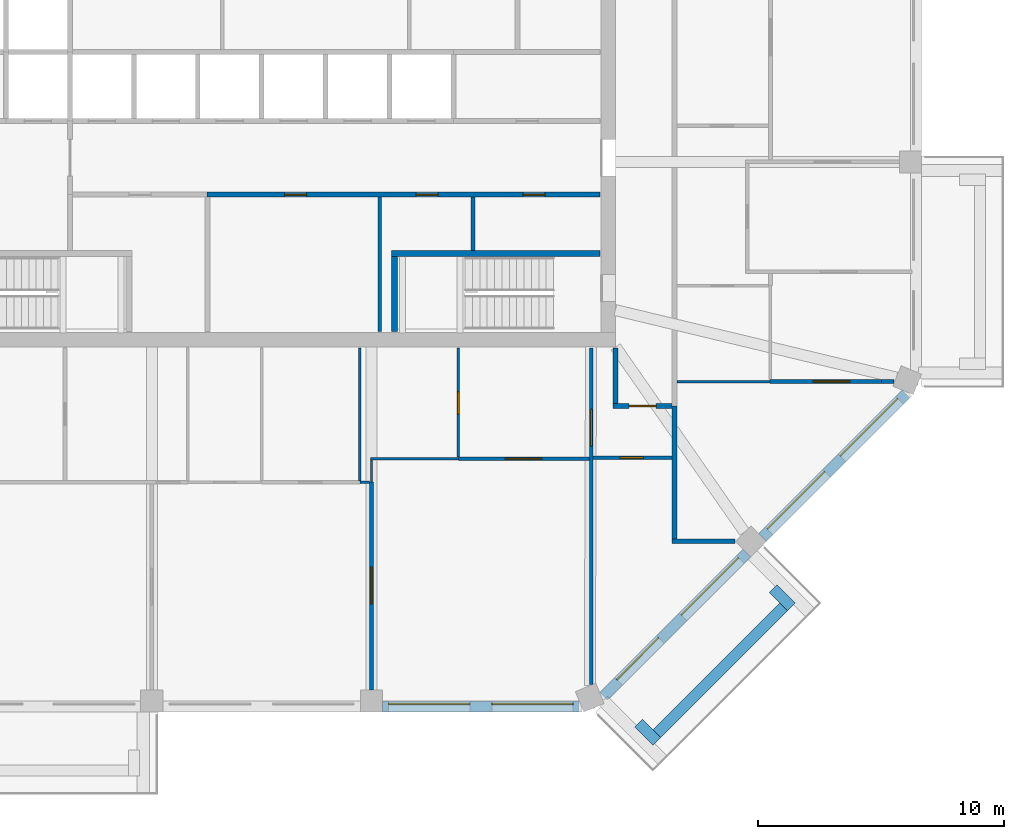
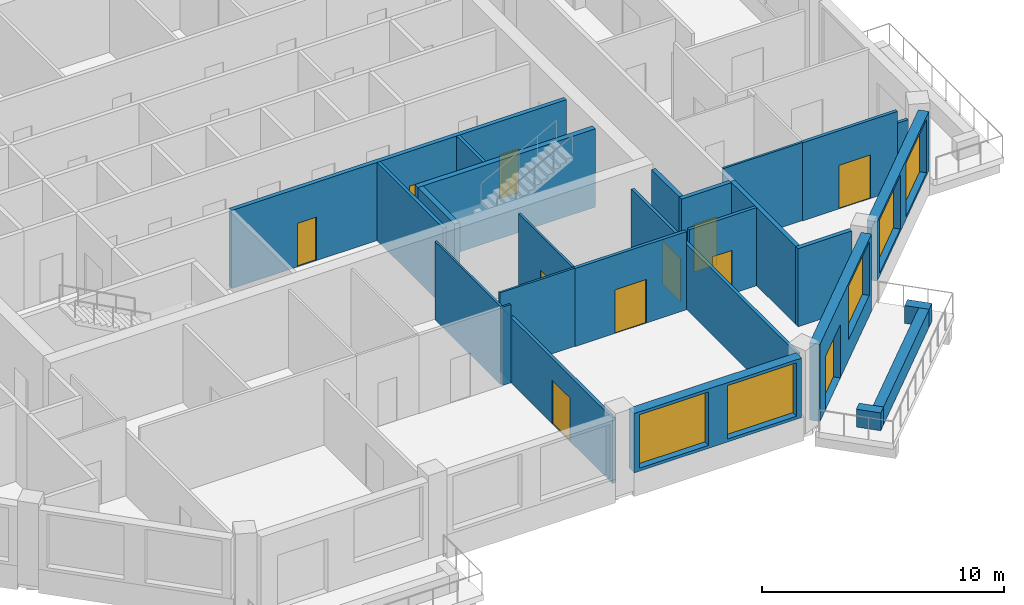
# One storey, part 5 of 11: 27 walls, 11 doors, 5 windows, 16 openings.
"""IFC4 building model written with IfcOpenShell, lengths in metres."""

import ifcopenshell
import ifcopenshell.guid

model = None  # the IFC model being written
_history = None  # IfcOwnerHistory: only IFC2X3 demands one
_inside = {}  # id of a spatial element -> (the spatial element, [elements in it])
_under = {}  # id of a project, library or spatial element -> (it, [spatial elements below it])
_declared = {}  # id of a project -> (the project, [libraries it declares])
_typed = {}  # id of a type object -> (the type object, [elements of that type])
_made_of = {}  # id of a material, layer set ... -> (it, [elements and type objects made of it])


def new_model(schema):
    """Start an empty IFC model of exactly this schema.

    Asked for "IFC4X3", IfcOpenShell would pick the latest addendum, in which some entities
    have other attributes; the version numbers below select the first issue.
    IFC2X3 requires an IfcOwnerHistory on every rooted entity: one is made here for all.
    """
    global model, _history
    if schema == "IFC4X3":
        model = ifcopenshell.file(schema_version=(4, 3, 0, 0))
    else:
        model = ifcopenshell.file(schema=schema)
    _inside.clear()
    _under.clear()
    _declared.clear()
    _typed.clear()
    _made_of.clear()
    _history = None
    if model.schema == "IFC2X3":
        org = make("IfcOrganization", Name="unknown")
        user = make(
            "IfcPersonAndOrganization",
            ThePerson=make("IfcPerson", FamilyName="unknown"),
            TheOrganization=org,
        )
        app = make(
            "IfcApplication",
            ApplicationDeveloper=org,
            Version="unknown",
            ApplicationFullName="unknown",
            ApplicationIdentifier="unknown",
        )
        _history = make(
            "IfcOwnerHistory",
            OwningUser=user,
            OwningApplication=app,
            ChangeAction="ADDED",
            CreationDate=0,
        )
    return model


def make(cls, **values):
    """One entity of the class cls with the attributes given. An attribute that is None is left unset."""
    return model.create_entity(
        cls, **{name: value for name, value in values.items() if value is not None}
    )


def rooted(cls, **values):
    """An entity with a GlobalId (a new one), such as an element, a storey or a relation."""
    return make(cls, GlobalId=ifcopenshell.guid.new(), OwnerHistory=_history, **values)


def si_unit(unit_type, name, prefix=None):
    """IfcSIUnit, for example si_unit("LENGTHUNIT", "METRE", prefix="MILLI")."""
    return make("IfcSIUnit", UnitType=unit_type, Prefix=prefix, Name=name)


def assignment(units):
    """IfcUnitAssignment: the units of a project."""
    return None if units is None else make("IfcUnitAssignment", Units=units)


def point(xyz):
    """IfcCartesianPoint."""
    return None if xyz is None else make("IfcCartesianPoint", Coordinates=xyz)


def direction(xyz):
    """IfcDirection."""
    return None if xyz is None else make("IfcDirection", DirectionRatios=xyz)


def frame(location, z_axis=None, x_axis=None):
    """IfcAxis2Placement3D, a coordinate frame: its origin and axes. An axis left out is left unset."""
    return make(
        "IfcAxis2Placement3D",
        Location=point(location),
        Axis=direction(z_axis),
        RefDirection=direction(x_axis),
    )


def frame_2d(location, x_axis=None):
    """IfcAxis2Placement2D, a coordinate frame in the plane: its origin and x axis."""
    return make(
        "IfcAxis2Placement2D", Location=point(location), RefDirection=direction(x_axis)
    )


def origin():
    """The frame at (0, 0, 0) with its axes left unset."""
    return frame((0.0, 0.0, 0.0))


def place(relative_to, where):
    """IfcLocalPlacement: puts the frame where relative to a parent placement (None: the world)."""
    return make(
        "IfcLocalPlacement", PlacementRelTo=relative_to, RelativePlacement=where
    )


def context(
    kind, dimensions, precision=None, world=None, true_north=None, identifier=None
):
    """IfcGeometricRepresentationContext, for example the 3D "Model" context."""
    return make(
        "IfcGeometricRepresentationContext",
        ContextIdentifier=identifier,
        ContextType=kind,
        CoordinateSpaceDimension=dimensions,
        Precision=precision,
        WorldCoordinateSystem=world,
        TrueNorth=true_north,
    )


def subcontext(parent, identifier, kind, view, scale=None):
    """IfcGeometricRepresentationSubContext, for example "Body" below "Model"."""
    return make(
        "IfcGeometricRepresentationSubContext",
        ContextIdentifier=identifier,
        ContextType=kind,
        ParentContext=parent,
        TargetScale=scale,
        TargetView=view,
    )


def project(units=None, contexts=None):
    """IfcProject with its units and contexts."""
    return rooted(
        "IfcProject",
        Name="project",
        RepresentationContexts=contexts,
        UnitsInContext=assignment(units),
    )


def spatial(cls, under=None, at=None, **own):
    """A site, building, storey or space (cls), placed at a placement, below another one or the project."""
    s = rooted(cls, ObjectPlacement=at, **own)
    if under is not None:
        _under.setdefault(under.id(), (under, []))[1].append(s)
    return s


def profile(cls, at=None, kind="AREA", **sizes):
    """A parametric profile (cls). Its sizes go by their IFC names, for example OverallWidth=200.0."""
    return make(cls, ProfileType=kind, Position=at, **sizes)


def rectangle(**sizes):
    """IfcRectangleProfileDef."""
    return profile("IfcRectangleProfileDef", **sizes)


def extrude(swept, where, along, depth):
    """IfcExtrudedAreaSolid: the profile swept, set in the frame where, extruded along a direction by depth."""
    return make(
        "IfcExtrudedAreaSolid",
        SweptArea=swept,
        Position=where,
        ExtrudedDirection=direction(along),
        Depth=depth,
    )


def shape(context_of_items, identifier, shape_type, items):
    """IfcShapeRepresentation: the items that make up one representation, for example the "Body"."""
    return make(
        "IfcShapeRepresentation",
        ContextOfItems=context_of_items,
        RepresentationIdentifier=identifier,
        RepresentationType=shape_type,
        Items=items,
    )


def material(Name=None, Category=None):
    """IfcMaterial."""
    return make("IfcMaterial", Name=Name, Category=Category)


def layer(
    of_material, thickness, ventilated=None, Name=None, Category=None, Priority=None
):
    """IfcMaterialLayer: one layer of a wall or slab, of a material (None: an air gap)."""
    return make(
        "IfcMaterialLayer",
        Material=of_material,
        LayerThickness=thickness,
        IsVentilated=ventilated,
        Name=Name,
        Category=Category,
        Priority=Priority,
    )


def layer_set(layers, Name=None):
    """IfcMaterialLayerSet."""
    return make("IfcMaterialLayerSet", MaterialLayers=layers, LayerSetName=Name)


def made_of(thing, what):
    """Note that an element or type object is made of a material, layer set ...; save() writes the relation."""
    if what is not None:
        _made_of.setdefault(what.id(), (what, []))[1].append(thing)
    return thing


def type_object(cls, material=None, **own):
    """A type object (cls), such as IfcWallType, which elements share."""
    return made_of(rooted(cls, **own), material)


def element(
    cls,
    number,
    at=None,
    inside=None,
    cuts=None,
    type_object=None,
    material=None,
    context=None,
    identifier="Body",
    shape_type=None,
    held_by="IfcProductDefinitionShape",
    body=None,
    shapes=None,
    **own,
):
    """One element of the class cls, such as IfcWall. Its Tag is "e" and its number.

    at: its placement. inside: the storey or other place that contains it. cuts: it is an
    opening in that element (IfcRelVoidsElement). A single representation is given by context,
    identifier, shape_type and body (its items); several are given by shapes. held_by: the class
    of the entity that holds the representations. save() writes the other relations.
    """
    e = rooted(cls, Tag="e%d" % number, ObjectPlacement=at, **own)
    if body is not None:
        shapes = [shape(context, identifier, shape_type, body)]
    if shapes is not None:
        e.Representation = make(held_by, Representations=shapes)
    if inside is not None:
        _inside.setdefault(inside.id(), (inside, []))[1].append(e)
    if cuts is not None:
        rooted(
            "IfcRelVoidsElement", RelatingBuildingElement=cuts, RelatedOpeningElement=e
        )
    if type_object is not None:
        _typed.setdefault(type_object.id(), (type_object, []))[1].append(e)
    return made_of(e, material)


def fill(opening, filler):
    """IfcRelFillsElement: the door or window that sits in an opening."""
    return rooted(
        "IfcRelFillsElement",
        RelatingOpeningElement=opening,
        RelatedBuildingElement=filler,
    )


def aggregate(whole, parts):
    """IfcRelAggregates: a whole, such as a stair, and the parts it consists of."""
    return rooted("IfcRelAggregates", RelatingObject=whole, RelatedObjects=parts)


def save(model, path):
    """Write the relations noted so far, then the file.

    IfcRelAggregates (storeys below a building ...), IfcRelContainedInSpatialStructure (elements
    in a storey), IfcRelDefinesByType, IfcRelAssociatesMaterial and IfcRelDeclares: one each for
    every whole, place, type object, material and project.
    """
    for whole, parts in _under.values():
        aggregate(whole, parts)
    for where, things in _inside.values():
        rooted(
            "IfcRelContainedInSpatialStructure",
            RelatedElements=things,
            RelatingStructure=where,
        )
    for kind, things in _typed.values():
        rooted("IfcRelDefinesByType", RelatedObjects=things, RelatingType=kind)
    for what, things in _made_of.values():
        rooted("IfcRelAssociatesMaterial", RelatedObjects=things, RelatingMaterial=what)
    for by, libraries in _declared.values():
        rooted("IfcRelDeclares", RelatingContext=by, RelatedDefinitions=libraries)
    model.write(path)


model = new_model("IFC4")

# Units and contexts
model_context = context("Model", 3, precision=1e-05, world=origin(), true_north=direction((0.0, 1.0)))
body_context = subcontext(model_context, "Body", "Model", "MODEL_VIEW")
ifc_project = project(units=[si_unit("LENGTHUNIT", "METRE"), si_unit("AREAUNIT", "SQUARE_METRE"), si_unit("VOLUMEUNIT", "CUBIC_METRE"), si_unit("PLANEANGLEUNIT", "RADIAN"), si_unit("MASSUNIT", "GRAM", prefix="KILO")], contexts=[model_context])

# Site, building, storey
site_placement = place(None, origin())
site = spatial("IfcSite", under=ifc_project, at=site_placement, CompositionType="ELEMENT")
building_placement = place(site_placement, origin())
building = spatial("IfcBuilding", under=site, at=building_placement, Name="Msitu Wima Residences", CompositionType="ELEMENT")
storey_placement = place(building_placement, frame((0.0, 0.0, 293.699951171875)))
storey = spatial("IfcBuildingStorey", under=building, at=storey_placement, Name="L68", CompositionType="ELEMENT", Elevation=293.699951171875)

# Walls
ifc_material_1 = material(Name="Facing brick")
ifc_layer_1 = layer(ifc_material_1, 0.06494140625, Name="Facing brick")
ifc_material_2 = material(Name="Concrete C40/50", Category="concrete")
ifc_layer_2 = layer(ifc_material_2, 0.156005859375, Name="Concrete C40/50")
ifc_material_3 = material(Name="Waterproofing membrane")
ifc_layer_3 = layer(ifc_material_3, 0.00390625, Name="Waterproofing membrane")
ifc_material_4 = material(Name="Planting soil and planting")
ifc_layer_4 = layer(ifc_material_4, 0.22509765625, Name="Planting soil and planting")
ifc_layer_set_1 = layer_set([ifc_layer_1, ifc_layer_2, ifc_layer_3, ifc_layer_4], Name="Concrete C40/50")
wall_type_1 = type_object("IfcWallType", Name="Balcony planter PLANTER PL450", PredefinedType="USERDEFINED", material=ifc_layer_set_1)
wall_1_placement = place(storey_placement, frame((16.0751953125, -27.725830078125, 0.0), z_axis=(0.0, 0.0, 1.0), x_axis=(0.707106781187, 0.707106781187, 0.0)))
element("IfcWall", 1, at=wall_1_placement, inside=storey, type_object=wall_type_1, Name="Balcony planter SE0 L68", ObjectType="PLANTER", PredefinedType="USERDEFINED", context=body_context, shape_type="SweptSolid", body=[
    extrude(rectangle(XDim=7.288330078125, YDim=0.449951171875, at=frame_2d((3.64404296875, 0.0))), origin(), (0.0, 0.0, 1.0), 0.900146484375),
])
for number, where, z_axis, x_axis, name in (
    (2, (15.332763671875, -27.301513671875, 0.0), (0.0, 0.0, 1.0), (0.707106781187, -0.707106781187, 0.0), "Balcony planter SE0 L68"),
    (3, (20.804443359375, -21.829833984375, 0.0), (0.0, 0.0, 1.0), (0.707106781187, -0.707106781187, 0.0), "Balcony planter SE0 L68"),
):
    element("IfcWall", number, at=place(storey_placement, frame(where, z_axis=z_axis, x_axis=x_axis)), inside=storey, type_object=wall_type_1, Name=name, ObjectType="PLANTER", PredefinedType="USERDEFINED", context=body_context, shape_type="SweptSolid", body=[
        extrude(rectangle(XDim=1.050048828125, YDim=0.449951171875, at=frame_2d((0.52490234375, 0.0))), origin(), (0.0, 0.0, 1.0), 0.900146484375),
    ])

# Wall, openings, windows
ifc_material_5 = material(Name="Brick (red buff mix)", Category="masonry")
ifc_layer_5 = layer(ifc_material_5, 0.449951171875)
ifc_layer_set_2 = layer_set([ifc_layer_5], Name="Brick (red buff mix)")
wall_type_2 = type_object("IfcWallType", Name="Brick infill wall BW450", PredefinedType="SOLIDWALL", material=ifc_layer_set_2)
wall_2_placement = place(storey_placement, frame((4.918701171875, -26.625, 0.900146484375), z_axis=(0.0, 0.0, 1.0), x_axis=(1.0, 0.0, 0.0)))
wall_2 = element("IfcWall", 4, at=wall_2_placement, inside=storey, type_object=wall_type_2, Name="Brick infill wall L68 S2", PredefinedType="SOLIDWALL", context=body_context, shape_type="SweptSolid", body=[
    extrude(rectangle(XDim=8.0, YDim=0.449951171875, at=frame_2d((4.0, 0.0))), origin(), (0.0, 0.0, 1.0), 3.0),
])
opening_1_placement = place(wall_2_placement, frame((0.25, 0.0, 0.14990234375)))
opening_1 = element("IfcOpeningElement", 5, at=opening_1_placement, cuts=wall_2, Name="Opening W68-70.020", PredefinedType="OPENING", context=body_context, shape_type="SweptSolid", body=[
    extrude(rectangle(XDim=3.300048828125, YDim=2.699951171875, at=frame_2d((1.64990234375, 1.35009765625))), frame((0.0, 0.23486328125, 0.0), z_axis=(0.0, -1.0, 0.0), x_axis=(1.0, 0.0, 0.0)), (0.0, 0.0, 1.0), 0.469970703125),
])
opening_2_placement = place(wall_2_placement, frame((4.4501953125, 0.0, 0.14990234375)))
opening_2 = element("IfcOpeningElement", 6, at=opening_2_placement, cuts=wall_2, Name="Opening W68-70.021", PredefinedType="OPENING", context=body_context, shape_type="SweptSolid", body=[
    extrude(rectangle(XDim=3.300048828125, YDim=2.699951171875, at=frame_2d((1.64990234375, 1.35009765625))), frame((0.0, 0.23486328125, 0.0), z_axis=(0.0, -1.0, 0.0), x_axis=(1.0, 0.0, 0.0)), (0.0, 0.0, 1.0), 0.469970703125),
])
ifc_material_6 = material(Name="Anodised aluminium, bronze finish, clear low-emissivity double glazing", Category="aluminium")
window_type = type_object("IfcWindowType", Name="Window W3300x2700", PartitioningType="DOUBLE_PANEL_VERTICAL", PredefinedType="WINDOW", material=ifc_material_6)
window_1_placement = place(opening_1_placement, origin())
window_1 = element("IfcWindow", 7, at=window_1_placement, inside=storey, type_object=window_type, Name="Window L68 S2.1", OverallHeight=2.699951171875, OverallWidth=3.300048828125, PartitioningType="SINGLE_PANEL", PredefinedType="WINDOW", context=body_context, shape_type="SweptSolid", body=[
    extrude(rectangle(XDim=3.300048828125, YDim=2.699951171875, at=frame_2d((1.64990234375, 1.35009765625))), frame((0.0, 0.135009765625, 0.0), z_axis=(0.0, -1.0, 0.0), x_axis=(1.0, 0.0, 0.0)), (0.0, 0.0, 1.0), 0.06005859375),
])
fill(opening_1, window_1)
window_2_placement = place(opening_2_placement, origin())
window_2 = element("IfcWindow", 8, at=window_2_placement, inside=storey, type_object=window_type, Name="Window L68 S2.2", OverallHeight=2.699951171875, OverallWidth=3.300048828125, PartitioningType="SINGLE_PANEL", PredefinedType="WINDOW", context=body_context, shape_type="SweptSolid", body=[
    extrude(rectangle(XDim=3.300048828125, YDim=2.699951171875, at=frame_2d((1.64990234375, 1.35009765625))), frame((0.0, 0.135009765625, 0.0), z_axis=(0.0, -1.0, 0.0), x_axis=(1.0, 0.0, 0.0)), (0.0, 0.0, 1.0), 0.06005859375),
])
fill(opening_2, window_2)

# Wall, openings, door, window
wall_3_placement = place(storey_placement, frame((13.909423828125, -26.214599609375, 0.0), z_axis=(0.0, 0.0, 1.0), x_axis=(0.707106781187, 0.707106781187, 0.0)))
wall_3 = element("IfcWall", 9, at=wall_3_placement, inside=storey, type_object=wall_type_2, Name="Brick infill wall L68 SE0", PredefinedType="SOLIDWALL", context=body_context, shape_type="SweptSolid", body=[
    extrude(rectangle(XDim=8.251220703125, YDim=0.449951171875, at=frame_2d((4.12548828125, 0.0))), origin(), (0.0, 0.0, 1.0), 3.900146484375),
])
opening_3_placement = place(wall_3_placement, frame((0.86279296875, 0.0, 0.0)))
opening_3 = element("IfcOpeningElement", 10, at=opening_3_placement, cuts=wall_3, Name="Opening D68-70.006", PredefinedType="OPENING", context=body_context, shape_type="SweptSolid", body=[
    extrude(rectangle(XDim=2.39990234375, YDim=2.699951171875, at=frame_2d((1.199951171875, 1.35009765625))), frame((0.0, 0.23486328125, 0.0), z_axis=(0.0, -1.0, 0.0), x_axis=(1.0, 0.0, 0.0)), (0.0, 0.0, 1.0), 0.469970703125),
])
opening_4_placement = place(wall_3_placement, frame((4.57568359375, 0.0, 1.050048828125)))
opening_4 = element("IfcOpeningElement", 11, at=opening_4_placement, cuts=wall_3, Name="Opening W68-70.022", PredefinedType="OPENING", context=body_context, shape_type="SweptSolid", body=[
    extrude(rectangle(XDim=3.300048828125, YDim=2.699951171875, at=frame_2d((1.64990234375, 1.35009765625))), frame((0.0, 0.23486328125, 0.0), z_axis=(0.0, -1.0, 0.0), x_axis=(1.0, 0.0, 0.0)), (0.0, 0.0, 1.0), 0.469970703125),
])
door_type_1 = type_object("IfcDoorType", Name="Balcony door D2400x2700", OperationType="SLIDING_TO_LEFT", PredefinedType="DOOR", material=ifc_material_6)
door_1_placement = place(opening_3_placement, origin())
door_1 = element("IfcDoor", 12, at=door_1_placement, inside=storey, type_object=door_type_1, Name="Balcony door L68 SE0", OperationType="SINGLE_SWING_LEFT", OverallHeight=2.699951171875, OverallWidth=2.39990234375, PredefinedType="DOOR", context=body_context, shape_type="SweptSolid", body=[
    extrude(rectangle(XDim=2.39990234375, YDim=2.699951171875, at=frame_2d((1.199951171875, 1.35009765625))), frame((0.0, 0.1298828125, 0.0), z_axis=(0.0, -1.0, 0.0), x_axis=(1.0, 0.0, 0.0)), (0.0, 0.0, 1.0), 0.050048828125),
])
fill(opening_3, door_1)
window_3_placement = place(opening_4_placement, origin())
window_3 = element("IfcWindow", 13, at=window_3_placement, inside=storey, type_object=window_type, Name="Window L68 SE0.2", OverallHeight=2.699951171875, OverallWidth=3.300048828125, PartitioningType="SINGLE_PANEL", PredefinedType="WINDOW", context=body_context, shape_type="SweptSolid", body=[
    extrude(rectangle(XDim=3.300048828125, YDim=2.699951171875, at=frame_2d((1.64990234375, 1.35009765625))), frame((0.0, 0.135009765625, 0.0), z_axis=(0.0, -1.0, 0.0), x_axis=(1.0, 0.0, 0.0)), (0.0, 0.0, 1.0), 0.06005859375),
])
fill(opening_4, window_3)

# Wall, openings, windows
wall_4_placement = place(storey_placement, frame((20.380126953125, -19.743896484375, 0.900146484375), z_axis=(0.0, 0.0, 1.0), x_axis=(0.707106781187, 0.707106781187, 0.0)))
wall_4 = element("IfcWall", 14, at=wall_4_placement, inside=storey, type_object=wall_type_2, Name="Brick infill wall L68 SE1", PredefinedType="SOLIDWALL", context=body_context, shape_type="SweptSolid", body=[
    extrude(rectangle(XDim=8.251220703125, YDim=0.449951171875, at=frame_2d((4.12548828125, 0.0))), origin(), (0.0, 0.0, 1.0), 3.0),
])
opening_5_placement = place(wall_4_placement, frame((0.37548828125, 0.0, 0.14990234375)))
opening_5 = element("IfcOpeningElement", 15, at=opening_5_placement, cuts=wall_4, Name="Opening W68-70.023", PredefinedType="OPENING", context=body_context, shape_type="SweptSolid", body=[
    extrude(rectangle(XDim=3.300048828125, YDim=2.699951171875, at=frame_2d((1.64990234375, 1.35009765625))), frame((0.0, 0.23486328125, 0.0), z_axis=(0.0, -1.0, 0.0), x_axis=(1.0, 0.0, 0.0)), (0.0, 0.0, 1.0), 0.469970703125),
])
opening_6_placement = place(wall_4_placement, frame((4.57568359375, 0.0, 0.14990234375)))
opening_6 = element("IfcOpeningElement", 16, at=opening_6_placement, cuts=wall_4, Name="Opening W68-70.024", PredefinedType="OPENING", context=body_context, shape_type="SweptSolid", body=[
    extrude(rectangle(XDim=3.300048828125, YDim=2.699951171875, at=frame_2d((1.64990234375, 1.35009765625))), frame((0.0, 0.23486328125, 0.0), z_axis=(0.0, -1.0, 0.0), x_axis=(1.0, 0.0, 0.0)), (0.0, 0.0, 1.0), 0.469970703125),
])
window_4_placement = place(opening_5_placement, origin())
window_4 = element("IfcWindow", 17, at=window_4_placement, inside=storey, type_object=window_type, Name="Window L68 SE1.1", OverallHeight=2.699951171875, OverallWidth=3.300048828125, PartitioningType="SINGLE_PANEL", PredefinedType="WINDOW", context=body_context, shape_type="SweptSolid", body=[
    extrude(rectangle(XDim=3.300048828125, YDim=2.699951171875, at=frame_2d((1.64990234375, 1.35009765625))), frame((0.0, 0.135009765625, 0.0), z_axis=(0.0, -1.0, 0.0), x_axis=(1.0, 0.0, 0.0)), (0.0, 0.0, 1.0), 0.06005859375),
])
fill(opening_5, window_4)
window_5_placement = place(opening_6_placement, origin())
window_5 = element("IfcWindow", 18, at=window_5_placement, inside=storey, type_object=window_type, Name="Window L68 SE1.2", OverallHeight=2.699951171875, OverallWidth=3.300048828125, PartitioningType="SINGLE_PANEL", PredefinedType="WINDOW", context=body_context, shape_type="SweptSolid", body=[
    extrude(rectangle(XDim=3.300048828125, YDim=2.699951171875, at=frame_2d((1.64990234375, 1.35009765625))), frame((0.0, 0.135009765625, 0.0), z_axis=(0.0, -1.0, 0.0), x_axis=(1.0, 0.0, 0.0)), (0.0, 0.0, 1.0), 0.06005859375),
])
fill(opening_6, window_5)

# Wall, openings, doors
ifc_material_7 = material(Name="Plaster")
ifc_layer_6 = layer(ifc_material_7, 0.011962890625, Name="Plaster")
ifc_material_8 = material(Name="Concrete blockwork", Category="masonry")
ifc_layer_7 = layer(ifc_material_8, 0.176025390625, Name="Concrete blockwork")
ifc_layer_8 = layer(ifc_material_7, 0.011962890625, Name="Plaster")
ifc_layer_set_3 = layer_set([ifc_layer_6, ifc_layer_7, ifc_layer_8], Name="Concrete blockwork")
wall_type_3 = type_object("IfcWallType", Name="Corridor wall FW200", PredefinedType="PARTITIONING", material=ifc_layer_set_3)
wall_5_placement = place(storey_placement, frame((-2.219970703125, -5.800048828125, 0.0), z_axis=(0.0, 0.0, 1.0), x_axis=(1.0, 0.0, 0.0)))
wall_5 = element("IfcWall", 19, at=wall_5_placement, inside=storey, type_object=wall_type_3, Name="Corridor wall", PredefinedType="PARTITIONING", context=body_context, shape_type="SweptSolid", body=[
    extrude(rectangle(XDim=15.989990234375, YDim=0.199951171875, at=frame_2d((7.9951171875, 0.0))), origin(), (0.0, 0.0, 1.0), 3.949951171875),
])
opening_7_placement = place(wall_5_placement, frame((3.14990234375, 0.0, 0.0)))
opening_7 = element("IfcOpeningElement", 20, at=opening_7_placement, cuts=wall_5, Name="Opening D68-70.068", PredefinedType="OPENING", context=body_context, shape_type="SweptSolid", body=[
    extrude(rectangle(XDim=0.89990234375, YDim=2.199951171875, at=frame_2d((0.449951171875, 1.10009765625))), frame((0.0, 0.10986328125, 0.0), z_axis=(0.0, -1.0, 0.0), x_axis=(1.0, 0.0, 0.0)), (0.0, 0.0, 1.0), 0.219970703125),
])
opening_8_placement = place(wall_5_placement, frame((8.5, 0.0, 0.0)))
opening_8 = element("IfcOpeningElement", 21, at=opening_8_placement, cuts=wall_5, Name="Opening D68-70.069", PredefinedType="OPENING", context=body_context, shape_type="SweptSolid", body=[
    extrude(rectangle(XDim=0.89990234375, YDim=2.199951171875, at=frame_2d((0.449951171875, 1.10009765625))), frame((0.0, 0.10986328125, 0.0), z_axis=(0.0, -1.0, 0.0), x_axis=(1.0, 0.0, 0.0)), (0.0, 0.0, 1.0), 0.219970703125),
])
opening_9_placement = place(wall_5_placement, frame((12.85009765625, 0.0, 0.0)))
opening_9 = element("IfcOpeningElement", 22, at=opening_9_placement, cuts=wall_5, Name="Opening D68-70.070", PredefinedType="OPENING", context=body_context, shape_type="SweptSolid", body=[
    extrude(rectangle(XDim=0.89990234375, YDim=2.199951171875, at=frame_2d((0.449951171875, 1.10009765625))), frame((0.0, 0.10986328125, 0.0), z_axis=(0.0, -1.0, 0.0), x_axis=(1.0, 0.0, 0.0)), (0.0, 0.0, 1.0), 0.219970703125),
])
ifc_material_9 = material(Name="Timber flush door", Category="wood")
door_type_2 = type_object("IfcDoorType", Name="Service door D05 900x2200", OperationType="SINGLE_SWING_LEFT", PredefinedType="DOOR", material=ifc_material_9)
door_2_placement = place(opening_7_placement, origin())
door_2 = element("IfcDoor", 23, at=door_2_placement, inside=storey, type_object=door_type_2, Name="Service door", OperationType="SINGLE_SWING_LEFT", OverallHeight=2.199951171875, OverallWidth=0.89990234375, PredefinedType="DOOR", context=body_context, shape_type="SweptSolid", body=[
    extrude(rectangle(XDim=0.89990234375, YDim=2.199951171875, at=frame_2d((0.449951171875, 1.10009765625))), frame((0.0, 0.02490234375, 0.0), z_axis=(0.0, -1.0, 0.0), x_axis=(1.0, 0.0, 0.0)), (0.0, 0.0, 1.0), 0.050048828125),
])
fill(opening_7, door_2)
door_3_placement = place(opening_8_placement, origin())
door_3 = element("IfcDoor", 24, at=door_3_placement, inside=storey, type_object=door_type_2, Name="Service door", OperationType="SINGLE_SWING_LEFT", OverallHeight=2.199951171875, OverallWidth=0.89990234375, PredefinedType="DOOR", context=body_context, shape_type="SweptSolid", body=[
    extrude(rectangle(XDim=0.89990234375, YDim=2.199951171875, at=frame_2d((0.449951171875, 1.10009765625))), frame((0.0, 0.02490234375, 0.0), z_axis=(0.0, -1.0, 0.0), x_axis=(1.0, 0.0, 0.0)), (0.0, 0.0, 1.0), 0.050048828125),
])
fill(opening_8, door_3)
door_4_placement = place(opening_9_placement, origin())
door_4 = element("IfcDoor", 25, at=door_4_placement, inside=storey, type_object=door_type_2, Name="Service door", OperationType="SINGLE_SWING_RIGHT", OverallHeight=2.199951171875, OverallWidth=0.89990234375, PredefinedType="DOOR", context=body_context, shape_type="SweptSolid", body=[
    extrude(rectangle(XDim=0.89990234375, YDim=2.199951171875, at=frame_2d((0.449951171875, 1.10009765625))), frame((0.0, 0.02490234375, 0.0), z_axis=(0.0, -1.0, 0.0), x_axis=(1.0, 0.0, 0.0)), (0.0, 0.0, 1.0), 0.050048828125),
])
fill(opening_9, door_4)

# Wall
wall_6_placement = place(storey_placement, frame((14.39990234375, -14.300048828125, 0.0), z_axis=(0.0, 0.0, 1.0), x_axis=(0.0, 1.0, 0.0)))
element("IfcWall", 26, at=wall_6_placement, inside=storey, type_object=wall_type_3, Name="Corridor wall", PredefinedType="PARTITIONING", context=body_context, shape_type="SweptSolid", body=[
    extrude(rectangle(XDim=2.27001953125, YDim=0.199951171875, at=frame_2d((1.135009765625, 0.0))), origin(), (0.0, 0.0, 1.0), 3.949951171875),
])

# Wall, opening, door
wall_7_placement = place(storey_placement, frame((14.300048828125, -14.39990234375, 0.0), z_axis=(0.0, 0.0, 1.0), x_axis=(1.0, 0.0, 0.0)))
wall_7 = element("IfcWall", 27, at=wall_7_placement, inside=storey, type_object=wall_type_3, Name="Corridor wall", PredefinedType="PARTITIONING", context=body_context, shape_type="SweptSolid", body=[
    extrude(rectangle(XDim=2.39990234375, YDim=0.199951171875, at=frame_2d((1.199951171875, 0.0))), origin(), (0.0, 0.0, 1.0), 3.949951171875),
])
opening_10_placement = place(wall_7_placement, frame((0.64990234375, 0.0, 0.0)))
opening_10 = element("IfcOpeningElement", 28, at=opening_10_placement, cuts=wall_7, Name="Opening D68-70.044", PredefinedType="OPENING", context=body_context, shape_type="SweptSolid", body=[
    extrude(rectangle(XDim=1.10009765625, YDim=2.39990234375, at=frame_2d((0.550048828125, 1.199951171875))), frame((0.0, 0.10986328125, 0.0), z_axis=(0.0, -1.0, 0.0), x_axis=(1.0, 0.0, 0.0)), (0.0, 0.0, 1.0), 0.219970703125),
])
ifc_material_10 = material(Name="Timber flush door, fire resisting, self-closing", Category="wood")
door_type_3 = type_object("IfcDoorType", Name="Flat entrance door D01 1100x2400", OperationType="SINGLE_SWING_LEFT", PredefinedType="DOOR", material=ifc_material_10)
door_5_placement = place(opening_10_placement, origin())
door_5 = element("IfcDoor", 29, at=door_5_placement, inside=storey, type_object=door_type_3, Name="Flat entrance door", OperationType="SINGLE_SWING_LEFT", OverallHeight=2.39990234375, OverallWidth=1.10009765625, PredefinedType="DOOR", context=body_context, shape_type="SweptSolid", body=[
    extrude(rectangle(XDim=1.10009765625, YDim=2.39990234375, at=frame_2d((0.550048828125, 1.199951171875))), frame((0.0, 0.02490234375, 0.0), z_axis=(0.0, -1.0, 0.0), x_axis=(1.0, 0.0, 0.0)), (0.0, 0.0, 1.0), 0.050048828125),
])
fill(opening_10, door_5)

ifc_layer_9 = layer(ifc_material_7, 0.011962890625, Name="Plaster")
ifc_layer_10 = layer(ifc_material_8, 0.1259765625, Name="Concrete blockwork")
ifc_layer_11 = layer(ifc_material_7, 0.011962890625, Name="Plaster")
ifc_layer_set_4 = layer_set([ifc_layer_9, ifc_layer_10, ifc_layer_11], Name="Concrete blockwork")
wall_type_4 = type_object("IfcWallType", Name="Partition PW150", PredefinedType="PARTITIONING", material=ifc_layer_set_4)
wall_8_placement = place(storey_placement, frame((4.46875, -25.949951171875, 0.0), z_axis=(0.0, 0.0, 1.0), x_axis=(0.0, 1.0, 0.0)))
wall_8 = element("IfcWall", 30, at=wall_8_placement, inside=storey, type_object=wall_type_4, Name="Partition", PredefinedType="PARTITIONING", context=body_context, shape_type="SweptSolid", body=[
    extrude(rectangle(XDim=8.449951171875, YDim=0.14990234375, at=frame_2d((4.22509765625, 0.0))), origin(), (0.0, 0.0, 1.0), 3.300048828125),
])
opening_11_placement = place(wall_8_placement, frame((3.5, 0.0, 0.0)))
opening_11 = element("IfcOpeningElement", 31, at=opening_11_placement, cuts=wall_8, Name="Opening D68-70.052", PredefinedType="OPENING", context=body_context, shape_type="SweptSolid", body=[
    extrude(rectangle(XDim=1.5, YDim=2.199951171875, at=frame_2d((0.75, 1.10009765625))), frame((0.0, 0.0849609375, 0.0), z_axis=(0.0, -1.0, 0.0), x_axis=(1.0, 0.0, 0.0)), (0.0, 0.0, 1.0), 0.169921875),
])
ifc_material_11 = material(Name="Timber double door", Category="wood")
door_type_4 = type_object("IfcDoorType", Name="Double door D04 1500x2200", OperationType="DOUBLE_DOOR_SINGLE_SWING", PredefinedType="DOOR", material=ifc_material_11)
door_6_placement = place(opening_11_placement, origin())
door_6 = element("IfcDoor", 32, at=door_6_placement, inside=storey, type_object=door_type_4, Name="Double door", OperationType="DOUBLE_DOOR_SINGLE_SWING", OverallHeight=2.199951171875, OverallWidth=1.5, PredefinedType="DOOR", context=body_context, shape_type="SweptSolid", body=[
    extrude(rectangle(XDim=1.5, YDim=2.199951171875, at=frame_2d((0.75, 1.10009765625))), frame((0.0, 0.02490234375, 0.0), z_axis=(0.0, -1.0, 0.0), x_axis=(1.0, 0.0, 0.0)), (0.0, 0.0, 1.0), 0.050048828125),
])
fill(opening_11, door_6)

# Wall
wall_9_placement = place(storey_placement, frame((4.800048828125, -11.3701171875, 0.0), z_axis=(0.0, 0.0, 1.0), x_axis=(0.0, 1.0, 0.0)))
element("IfcWall", 33, at=wall_9_placement, inside=storey, type_object=wall_type_4, Name="Partition", PredefinedType="PARTITIONING", context=body_context, shape_type="SweptSolid", body=[
    extrude(rectangle(XDim=5.47021484375, YDim=0.14990234375, at=frame_2d((2.735107421875, 0.0))), origin(), (0.0, 0.0, 1.0), 3.949951171875),
])

# Wall, opening, door
wall_10_placement = place(storey_placement, frame((8.0, -16.550048828125, 0.0), z_axis=(0.0, 0.0, 1.0), x_axis=(1.0, 0.0, 0.0)))
wall_10 = element("IfcWall", 34, at=wall_10_placement, inside=storey, type_object=wall_type_4, Name="Partition", PredefinedType="PARTITIONING", context=body_context, shape_type="SweptSolid", body=[
    extrude(rectangle(XDim=5.330810546875, YDim=0.14990234375, at=frame_2d((2.66552734375, 0.0))), origin(), (0.0, 0.0, 1.0), 3.949951171875),
])
opening_12_placement = place(wall_10_placement, frame((1.89990234375, 0.0, 0.0)))
opening_12 = element("IfcOpeningElement", 35, at=opening_12_placement, cuts=wall_10, Name="Opening D68-70.049", PredefinedType="OPENING", context=body_context, shape_type="SweptSolid", body=[
    extrude(rectangle(XDim=1.5, YDim=2.199951171875, at=frame_2d((0.75, 1.10009765625))), frame((0.0, 0.0849609375, 0.0), z_axis=(0.0, -1.0, 0.0), x_axis=(1.0, 0.0, 0.0)), (0.0, 0.0, 1.0), 0.169921875),
])
door_7_placement = place(opening_12_placement, origin())
door_7 = element("IfcDoor", 36, at=door_7_placement, inside=storey, type_object=door_type_4, Name="Double door", OperationType="DOUBLE_DOOR_SINGLE_SWING", OverallHeight=2.199951171875, OverallWidth=1.5, PredefinedType="DOOR", context=body_context, shape_type="SweptSolid", body=[
    extrude(rectangle(XDim=1.5, YDim=2.199951171875, at=frame_2d((0.75, 1.10009765625))), frame((0.0, 0.02490234375, 0.0), z_axis=(0.0, -1.0, 0.0), x_axis=(1.0, 0.0, 0.0)), (0.0, 0.0, 1.0), 0.050048828125),
])
fill(opening_12, door_7)

# Wall
wall_11_placement = place(storey_placement, frame((8.60009765625, -8.074951171875, 0.0), z_axis=(0.0, 0.0, 1.0), x_axis=(0.0, 1.0, 0.0)))
element("IfcWall", 37, at=wall_11_placement, inside=storey, type_object=wall_type_4, Name="Partition", PredefinedType="PARTITIONING", context=body_context, shape_type="SweptSolid", body=[
    extrude(rectangle(XDim=2.175048828125, YDim=0.14990234375, at=frame_2d((1.08740234375, 0.0))), origin(), (0.0, 0.0, 1.0), 3.949951171875),
])

# Wall, opening, door
wall_12_placement = place(storey_placement, frame((13.406005859375, -25.731201171875, 0.0), z_axis=(0.0, 0.0, 1.0), x_axis=(0.0, 1.0, 0.0)))
wall_12 = element("IfcWall", 38, at=wall_12_placement, inside=storey, type_object=wall_type_4, Name="Partition", PredefinedType="PARTITIONING", context=body_context, shape_type="SweptSolid", body=[
    extrude(rectangle(XDim=13.701171875, YDim=0.14990234375, at=frame_2d((6.8505859375, 0.0))), origin(), (0.0, 0.0, 1.0), 3.300048828125),
])
opening_13_placement = place(wall_12_placement, frame((9.699951171875, 0.0, 0.0)))
opening_13 = element("IfcOpeningElement", 39, at=opening_13_placement, cuts=wall_12, Name="Opening D68-70.045", PredefinedType="OPENING", context=body_context, shape_type="SweptSolid", body=[
    extrude(rectangle(XDim=1.5, YDim=2.199951171875, at=frame_2d((0.75, 1.10009765625))), frame((0.0, 0.0849609375, 0.0), z_axis=(0.0, -1.0, 0.0), x_axis=(1.0, 0.0, 0.0)), (0.0, 0.0, 1.0), 0.169921875),
])
door_8_placement = place(opening_13_placement, origin())
door_8 = element("IfcDoor", 40, at=door_8_placement, inside=storey, type_object=door_type_4, Name="Double door", OperationType="DOUBLE_DOOR_SINGLE_SWING", OverallHeight=2.199951171875, OverallWidth=1.5, PredefinedType="DOOR", context=body_context, shape_type="SweptSolid", body=[
    extrude(rectangle(XDim=1.5, YDim=2.199951171875, at=frame_2d((0.75, 1.10009765625))), frame((0.0, 0.02490234375, 0.0), z_axis=(0.0, -1.0, 0.0), x_axis=(1.0, 0.0, 0.0)), (0.0, 0.0, 1.0), 0.050048828125),
])
fill(opening_13, door_8)

wall_13_placement = place(storey_placement, frame((13.48095703125, -16.5, 0.0), z_axis=(0.0, 0.0, 1.0), x_axis=(1.0, 0.0, 0.0)))
wall_13 = element("IfcWall", 41, at=wall_13_placement, inside=storey, type_object=wall_type_4, Name="Partition", PredefinedType="PARTITIONING", context=body_context, shape_type="SweptSolid", body=[
    extrude(rectangle(XDim=3.218994140625, YDim=0.14990234375, at=frame_2d((1.609375, 0.0))), origin(), (0.0, 0.0, 1.0), 3.949951171875),
])
opening_14_placement = place(wall_13_placement, frame((1.10009765625, 0.0, 0.0)))
opening_14 = element("IfcOpeningElement", 42, at=opening_14_placement, cuts=wall_13, Name="Opening D68-70.050", PredefinedType="OPENING", context=body_context, shape_type="SweptSolid", body=[
    extrude(rectangle(XDim=0.949951171875, YDim=2.199951171875, at=frame_2d((0.47509765625, 1.10009765625))), frame((0.0, 0.0849609375, 0.0), z_axis=(0.0, -1.0, 0.0), x_axis=(1.0, 0.0, 0.0)), (0.0, 0.0, 1.0), 0.169921875),
])
door_type_5 = type_object("IfcDoorType", Name="Room door D12 950x2200", OperationType="SINGLE_SWING_LEFT", PredefinedType="DOOR", material=ifc_material_9)
door_9_placement = place(opening_14_placement, origin())
door_9 = element("IfcDoor", 43, at=door_9_placement, inside=storey, type_object=door_type_5, Name="Room door", OperationType="SINGLE_SWING_RIGHT", OverallHeight=2.199951171875, OverallWidth=0.949951171875, PredefinedType="DOOR", context=body_context, shape_type="SweptSolid", body=[
    extrude(rectangle(XDim=0.949951171875, YDim=2.199951171875, at=frame_2d((0.47509765625, 1.10009765625))), frame((0.0, 0.02490234375, 0.0), z_axis=(0.0, -1.0, 0.0), x_axis=(1.0, 0.0, 0.0)), (0.0, 0.0, 1.0), 0.050048828125),
])
fill(opening_14, door_9)

wall_14_placement = place(storey_placement, frame((20.679931640625, -13.406005859375, 0.0), z_axis=(0.0, 0.0, 1.0), x_axis=(1.0, 0.0, 0.0)))
wall_14 = element("IfcWall", 44, at=wall_14_placement, inside=storey, type_object=wall_type_4, Name="Partition", PredefinedType="PARTITIONING", context=body_context, shape_type="SweptSolid", body=[
    extrude(rectangle(XDim=4.544189453125, YDim=0.14990234375, at=frame_2d((2.27197265625, 0.0))), origin(), (0.0, 0.0, 1.0), 3.949951171875),
])
opening_15_placement = place(wall_14_placement, frame((1.75, 0.0, 0.0)))
opening_15 = element("IfcOpeningElement", 45, at=opening_15_placement, cuts=wall_14, Name="Opening D68-70.011", PredefinedType="OPENING", context=body_context, shape_type="SweptSolid", body=[
    extrude(rectangle(XDim=1.5, YDim=2.199951171875, at=frame_2d((0.75, 1.10009765625))), frame((0.0, 0.0849609375, 0.0), z_axis=(0.0, -1.0, 0.0), x_axis=(1.0, 0.0, 0.0)), (0.0, 0.0, 1.0), 0.169921875),
])
door_10_placement = place(opening_15_placement, origin())
door_10 = element("IfcDoor", 46, at=door_10_placement, inside=storey, type_object=door_type_4, Name="Double door", OperationType="DOUBLE_DOOR_SINGLE_SWING", OverallHeight=2.199951171875, OverallWidth=1.5, PredefinedType="DOOR", context=body_context, shape_type="SweptSolid", body=[
    extrude(rectangle(XDim=1.5, YDim=2.199951171875, at=frame_2d((0.75, 1.10009765625))), frame((0.0, 0.02490234375, 0.0), z_axis=(0.0, -1.0, 0.0), x_axis=(1.0, 0.0, 0.0)), (0.0, 0.0, 1.0), 0.050048828125),
])
fill(opening_15, door_10)

# Walls
wall_15_placement = place(storey_placement, frame((25.22412109375, -13.406005859375, 0.0), z_axis=(0.0, 0.0, 1.0), x_axis=(1.0, 0.0, 0.0)))
element("IfcWall", 47, at=wall_15_placement, inside=storey, type_object=wall_type_4, Name="Partition", PredefinedType="PARTITIONING", context=body_context, shape_type="SweptSolid", body=[
    extrude(rectangle(XDim=0.507080078125, YDim=0.14990234375, at=frame_2d((0.25341796875, 0.0))), origin(), (0.0, 0.0, 1.0), 3.35009765625),
])
ifc_layer_12 = layer(ifc_material_7, 0.011962890625, Name="Plaster")
ifc_material_12 = material(Name="Dense concrete blockwork", Category="masonry")
ifc_layer_13 = layer(ifc_material_12, 0.176025390625, Name="Dense concrete blockwork")
ifc_layer_14 = layer(ifc_material_7, 0.011962890625, Name="Plaster")
ifc_layer_set_5 = layer_set([ifc_layer_12, ifc_layer_13, ifc_layer_14], Name="Dense concrete blockwork")
wall_type_5 = type_object("IfcWallType", Name="Party wall PW200", PredefinedType="PARTITIONING", material=ifc_layer_set_5)
wall_16_placement = place(storey_placement, frame((16.800048828125, -19.802978515625, 0.0), z_axis=(0.0, 0.0, 1.0), x_axis=(0.0, 1.0, 0.0)))
element("IfcWall", 48, at=wall_16_placement, inside=storey, type_object=wall_type_5, Name="Party wall", PredefinedType="PARTITIONING", context=body_context, shape_type="SweptSolid", body=[
    extrude(rectangle(XDim=5.403076171875, YDim=0.199951171875, at=frame_2d((2.70166015625, 0.0))), origin(), (0.0, 0.0, 1.0), 3.949951171875),
])
wall_17_placement = place(storey_placement, frame((16.699951171875, -19.90283203125, 0.0), z_axis=(0.0, 0.0, 1.0), x_axis=(1.0, 0.0, 0.0)))
element("IfcWall", 49, at=wall_17_placement, inside=storey, type_object=wall_type_5, Name="Party wall", PredefinedType="PARTITIONING", context=body_context, shape_type="SweptSolid", body=[
    extrude(rectangle(XDim=2.566650390625, YDim=0.199951171875, at=frame_2d((1.283203125, 0.0))), origin(), (0.0, 0.0, 1.0), 3.949951171875),
])
ifc_material_13 = material(Name="Concrete C50/60", Category="concrete")
ifc_layer_15 = layer(ifc_material_13, 0.25)
ifc_layer_set_6 = layer_set([ifc_layer_15], Name="Concrete C50/60")
wall_type_6 = type_object("IfcWallType", Name="Stair enclosure wall SW250", PredefinedType="SHEAR", material=ifc_layer_set_6)
wall_18_placement = place(storey_placement, frame((5.39990234375, -11.3701171875, 0.0), z_axis=(0.0, 0.0, 1.0), x_axis=(0.0, 1.0, 0.0)))
element("IfcWall", 50, at=wall_18_placement, inside=storey, type_object=wall_type_6, Name="Stair enclosure wall", PredefinedType="SHEAR", context=body_context, shape_type="SweptSolid", body=[
    extrude(rectangle(XDim=3.045166015625, YDim=0.25, at=frame_2d((1.5224609375, 0.0))), origin(), (0.0, 0.0, 1.0), 3.949951171875),
])
wall_19_placement = place(storey_placement, frame((5.27490234375, -8.199951171875, 0.0), z_axis=(0.0, 0.0, 1.0), x_axis=(1.0, 0.0, 0.0)))
element("IfcWall", 51, at=wall_19_placement, inside=storey, type_object=wall_type_6, Name="Stair enclosure wall", PredefinedType="SHEAR", context=body_context, shape_type="SweptSolid", body=[
    extrude(rectangle(XDim=8.4951171875, YDim=0.25, at=frame_2d((4.24755859375, 0.0))), origin(), (0.0, 0.0, 1.0), 3.949951171875),
])
ifc_material_14 = material(Name="Ceramic tiles")
ifc_layer_16 = layer(ifc_material_14, 0.008056640625, Name="Ceramic tiles")
ifc_material_15 = material(Name="Moisture-resistant board")
ifc_layer_17 = layer(ifc_material_15, 0.012451171875, Name="Moisture-resistant board")
ifc_material_16 = material(Name="Light-gauge stud framing with mineral wool")
ifc_layer_18 = layer(ifc_material_16, 0.06689453125, Name="Light-gauge stud framing with mineral wool")
ifc_layer_19 = layer(ifc_material_15, 0.012451171875, Name="Moisture-resistant board")
ifc_layer_set_7 = layer_set([ifc_layer_16, ifc_layer_17, ifc_layer_18, ifc_layer_19], Name="Light-gauge stud framing with mineral wool")
wall_type_7 = type_object("IfcWallType", Name="Wet wall PW100", PredefinedType="PARTITIONING", material=ifc_layer_set_7)
wall_20_placement = place(storey_placement, frame((4.0, -17.5, 0.0), z_axis=(0.0, 0.0, 1.0), x_axis=(1.0, 0.0, 0.0)))
element("IfcWall", 52, at=wall_20_placement, inside=storey, type_object=wall_type_7, Name="Wet wall", PredefinedType="PARTITIONING", context=body_context, shape_type="SweptSolid", body=[
    extrude(rectangle(XDim=0.3935546875, YDim=0.10009765625, at=frame_2d((0.19677734375, 0.0))), origin(), (0.0, 0.0, 1.0), 3.949951171875),
])
wall_21_placement = place(storey_placement, frame((4.0, -17.449951171875, 0.0), z_axis=(0.0, 0.0, 1.0), x_axis=(0.0, 1.0, 0.0)))
element("IfcWall", 53, at=wall_21_placement, inside=storey, type_object=wall_type_7, Name="Wet wall", PredefinedType="PARTITIONING", context=body_context, shape_type="SweptSolid", body=[
    extrude(rectangle(XDim=5.419921875, YDim=0.10009765625, at=frame_2d((2.7099609375, 0.0))), origin(), (0.0, 0.0, 1.0), 3.949951171875),
])
wall_22_placement = place(storey_placement, frame((4.46875, -17.5, 0.0), z_axis=(0.0, 0.0, 1.0), x_axis=(0.0, 1.0, 0.0)))
element("IfcWall", 54, at=wall_22_placement, inside=storey, type_object=wall_type_7, Name="Wet wall", PredefinedType="PARTITIONING", context=body_context, shape_type="SweptSolid", body=[
    extrude(rectangle(XDim=0.89990234375, YDim=0.10009765625, at=frame_2d((0.449951171875, 0.0))), origin(), (0.0, 0.0, 1.0), 3.300048828125),
])
wall_23_placement = place(storey_placement, frame((4.418701171875, -16.550048828125, 0.0), z_axis=(0.0, 0.0, 1.0), x_axis=(1.0, 0.0, 0.0)))
element("IfcWall", 55, at=wall_23_placement, inside=storey, type_object=wall_type_7, Name="Wet wall", PredefinedType="PARTITIONING", context=body_context, shape_type="SweptSolid", body=[
    extrude(rectangle(XDim=3.581298828125, YDim=0.10009765625, at=frame_2d((1.79052734375, 0.0))), origin(), (0.0, 0.0, 1.0), 3.949951171875),
])

# Wall, opening, door
wall_24_placement = place(storey_placement, frame((8.0, -16.47509765625, 0.0), z_axis=(0.0, 0.0, 1.0), x_axis=(0.0, 1.0, 0.0)))
wall_24 = element("IfcWall", 56, at=wall_24_placement, inside=storey, type_object=wall_type_7, Name="Wet wall", PredefinedType="PARTITIONING", context=body_context, shape_type="SweptSolid", body=[
    extrude(rectangle(XDim=4.445068359375, YDim=0.10009765625, at=frame_2d((2.22265625, 0.0))), origin(), (0.0, 0.0, 1.0), 3.949951171875),
])
opening_16_placement = place(wall_24_placement, frame((1.75, 0.0, 0.0)))
opening_16 = element("IfcOpeningElement", 57, at=opening_16_placement, cuts=wall_24, Name="Opening D68-70.051", PredefinedType="OPENING", context=body_context, shape_type="SweptSolid", body=[
    extrude(rectangle(XDim=0.89990234375, YDim=2.199951171875, at=frame_2d((0.449951171875, 1.10009765625))), frame((0.0, 0.06005859375, 0.0), z_axis=(0.0, -1.0, 0.0), x_axis=(1.0, 0.0, 0.0)), (0.0, 0.0, 1.0), 0.1201171875),
])
ifc_material_17 = material(Name="Timber flush door, moisture resistant", Category="wood")
door_type_6 = type_object("IfcDoorType", Name="Bathroom door D03 900x2200", OperationType="SINGLE_SWING_LEFT", PredefinedType="DOOR", material=ifc_material_17)
door_11_placement = place(opening_16_placement, origin())
door_11 = element("IfcDoor", 58, at=door_11_placement, inside=storey, type_object=door_type_6, Name="Bathroom door", OperationType="SINGLE_SWING_LEFT", OverallHeight=2.199951171875, OverallWidth=0.89990234375, PredefinedType="DOOR", context=body_context, shape_type="SweptSolid", body=[
    extrude(rectangle(XDim=0.89990234375, YDim=2.199951171875, at=frame_2d((0.449951171875, 1.10009765625))), frame((0.0, 0.02490234375, 0.0), z_axis=(0.0, -1.0, 0.0), x_axis=(1.0, 0.0, 0.0)), (0.0, 0.0, 1.0), 0.050048828125),
])
fill(opening_16, door_11)

# Wall
wall_25_placement = place(storey_placement, frame((16.89990234375, -13.406005859375, 0.0), z_axis=(0.0, 0.0, 1.0), x_axis=(1.0, 0.0, 0.0)))
element("IfcWall", 59, at=wall_25_placement, inside=storey, type_object=wall_type_7, Name="Wet wall", PredefinedType="PARTITIONING", context=body_context, shape_type="SweptSolid", body=[
    extrude(rectangle(XDim=3.780029296875, YDim=0.10009765625, at=frame_2d((1.89013671875, 0.0))), origin(), (0.0, 0.0, 1.0), 3.949951171875),
])

save(model, "model.ifc")
